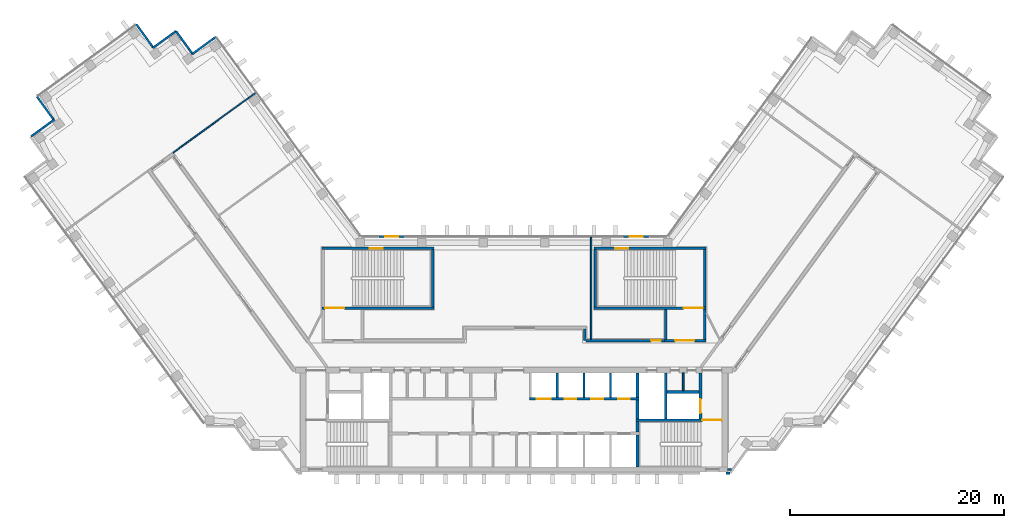
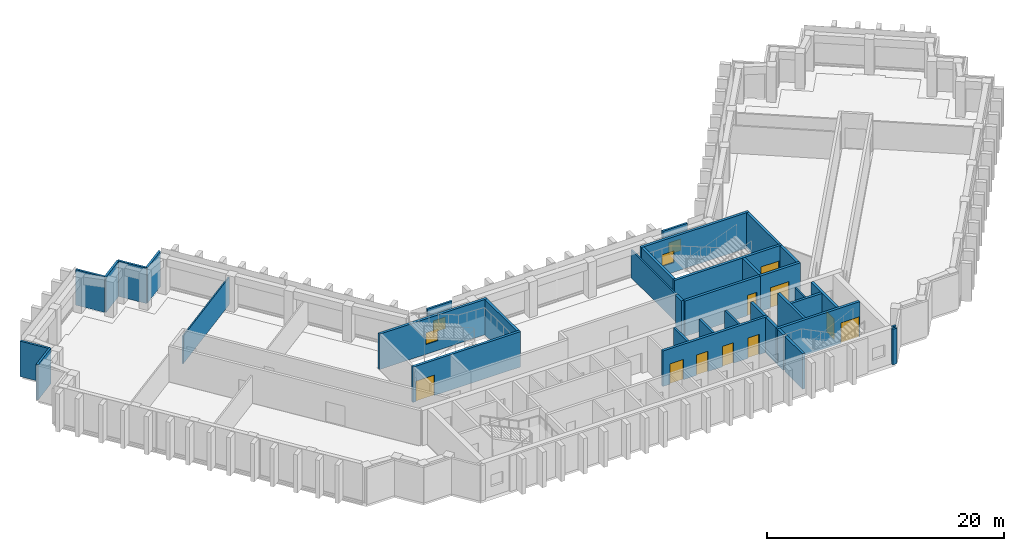
# One storey, part 6 of 10: 37 walls, 10 doors, 4 windows, 14 openings.
"""IFC4 building model written with IfcOpenShell, lengths in metres."""

from ifc_helpers import new_model, si_unit, direction, frame, frame_2d, origin, place, context, subcontext, project, spatial, rectangle, extrude, material, layer, layer_set, type_object, element, fill, save


model = new_model("IFC4")

# Units and contexts
model_context = context("Model", 3, precision=1e-05, world=origin(), true_north=direction((0.0, 1.0)))
body_context = subcontext(model_context, "Body", "Model", "MODEL_VIEW")
ifc_project = project(units=[si_unit("LENGTHUNIT", "METRE"), si_unit("AREAUNIT", "SQUARE_METRE"), si_unit("VOLUMEUNIT", "CUBIC_METRE"), si_unit("PLANEANGLEUNIT", "RADIAN"), si_unit("MASSUNIT", "GRAM", prefix="KILO")], contexts=[model_context])

# Site, building, storey
site_placement = place(None, origin())
site = spatial("IfcSite", under=ifc_project, at=site_placement, CompositionType="ELEMENT")
building_placement = place(site_placement, origin())
building = spatial("IfcBuilding", under=site, at=building_placement, Name="Quipu Civic Tower", CompositionType="ELEMENT")
storey_placement = place(building_placement, frame((0.0, 0.0, 180.0)))
storey = spatial("IfcBuildingStorey", under=building, at=storey_placement, Name="L42", CompositionType="ELEMENT", Elevation=180.0)

# Walls
ifc_material_1 = material(Name="Double gypsum plasterboard with mineral wool")
ifc_layer_1 = layer(ifc_material_1, 0.14990234375)
ifc_layer_set_1 = layer_set([ifc_layer_1], Name="Double gypsum plasterboard with mineral wool")
wall_type_1 = type_object("IfcWallType", Name="Acoustic partition 150 plasterboard", PredefinedType="PARTITIONING", material=ifc_layer_set_1)
wall_1_placement = place(storey_placement, frame((7.218017578125, 11.0, 0.0), z_axis=(0.0, 0.0, 1.0), x_axis=(0.0, -1.0, 0.0)))
element("IfcWall", 1, at=wall_1_placement, inside=storey, type_object=wall_type_1, Name="Partition P03", PredefinedType="PARTITIONING", context=body_context, shape_type="SweptSolid", body=[
    extrude(rectangle(XDim=9.550048828125, YDim=0.14990234375, at=frame_2d((4.77490234375, 0.0))), origin(), (0.0, 0.0, 1.0), 2.85009765625),
])
ifc_material_2 = material(Name="Concrete C70/85", Category="concrete")
ifc_layer_2 = layer(ifc_material_2, 0.25)
ifc_layer_set_2 = layer_set([ifc_layer_2], Name="Concrete C70/85")
wall_type_2 = type_object("IfcWallType", Name="Core wall 250", PredefinedType="SHEAR", material=ifc_layer_set_2)
wall_2_placement = place(storey_placement, frame((11.574951171875, -10.5, 0.0), z_axis=(0.0, 0.0, 1.0), x_axis=(0.0, 1.0, 0.0)))
element("IfcWall", 2, at=wall_2_placement, inside=storey, type_object=wall_type_2, Name="Core wall", PredefinedType="SHEAR", context=body_context, shape_type="SweptSolid", body=[
    extrude(rectangle(XDim=3.0, YDim=0.25, at=frame_2d((1.5, 0.0))), origin(), (0.0, 0.0, 1.0), 3.64990234375),
])
wall_3_placement = place(storey_placement, frame((11.574951171875, -7.25, 0.0), z_axis=(0.0, 0.0, 1.0), x_axis=(0.0, 1.0, 0.0)))
element("IfcWall", 3, at=wall_3_placement, inside=storey, type_object=wall_type_2, Name="Core wall", PredefinedType="SHEAR", context=body_context, shape_type="SweptSolid", body=[
    extrude(rectangle(XDim=1.0, YDim=0.25, at=frame_2d((0.5, 0.0))), origin(), (0.0, 0.0, 1.0), 3.64990234375),
])

# Wall, opening, door
wall_4_placement = place(storey_placement, frame((19.5, -6.125, 0.0), z_axis=(0.0, 0.0, 1.0), x_axis=(-1.0, 0.0, 0.0)))
wall_4 = element("IfcWall", 4, at=wall_4_placement, inside=storey, type_object=wall_type_2, Name="Core wall", PredefinedType="SHEAR", context=body_context, shape_type="SweptSolid", body=[
    extrude(rectangle(XDim=8.050048828125, YDim=0.25, at=frame_2d((4.02490234375, 0.0))), origin(), (0.0, 0.0, 1.0), 3.64990234375),
])
opening_1_placement = place(wall_4_placement, frame((0.050048828125, 0.0, 0.0)))
opening_1 = element("IfcOpeningElement", 5, at=opening_1_placement, cuts=wall_4, Name="Opening CD-07", PredefinedType="OPENING", context=body_context, shape_type="SweptSolid", body=[
    extrude(rectangle(XDim=1.800048828125, YDim=2.10009765625, at=frame_2d((0.89990234375, 1.050048828125))), frame((0.0, 0.135009765625, 0.0), z_axis=(0.0, -1.0, 0.0), x_axis=(1.0, 0.0, 0.0)), (0.0, 0.0, 1.0), 0.27001953125),
])
ifc_material_3 = material(Name="Fire rated steel door", Category="steel")
door_type_1 = type_object("IfcDoorType", Name="Fire door FD90 double 1800 x 2100", OperationType="NOTDEFINED", PredefinedType="DOOR", material=ifc_material_3)
door_1_placement = place(opening_1_placement, origin())
door_1 = element("IfcDoor", 6, at=door_1_placement, inside=storey, type_object=door_type_1, Name="Door", OperationType="DOUBLE_DOOR_SINGLE_SWING", OverallHeight=2.10009765625, OverallWidth=1.800048828125, PredefinedType="DOOR", context=body_context, shape_type="SweptSolid", body=[
    extrude(rectangle(XDim=1.800048828125, YDim=2.10009765625, at=frame_2d((0.89990234375, 1.050048828125))), frame((0.0, 0.02490234375, 0.0), z_axis=(0.0, -1.0, 0.0), x_axis=(1.0, 0.0, 0.0)), (0.0, 0.0, 1.0), 0.050048828125),
])
fill(opening_1, door_1)

# Walls
wall_5_placement = place(storey_placement, frame((11.574951171875, -6.0, 0.0), z_axis=(0.0, 0.0, 1.0), x_axis=(0.0, 1.0, 0.0)))
element("IfcWall", 7, at=wall_5_placement, inside=storey, type_object=wall_type_2, Name="Core wall", PredefinedType="SHEAR", context=body_context, shape_type="SweptSolid", body=[
    extrude(rectangle(XDim=1.75, YDim=0.25, at=frame_2d((0.875, 0.0))), origin(), (0.0, 0.0, 1.0), 3.64990234375),
])
wall_6_placement = place(storey_placement, frame((14.22509765625, -6.0, 0.0), z_axis=(0.0, 0.0, 1.0), x_axis=(0.0, 1.0, 0.0)))
element("IfcWall", 8, at=wall_6_placement, inside=storey, type_object=wall_type_2, Name="Core wall", PredefinedType="SHEAR", context=body_context, shape_type="SweptSolid", body=[
    extrude(rectangle(XDim=4.300048828125, YDim=0.25, at=frame_2d((2.14990234375, 0.0))), origin(), (0.0, 0.0, 1.0), 3.64990234375),
])

# Wall, opening, door
wall_7_placement = place(storey_placement, frame((17.47509765625, -6.0, 0.0), z_axis=(0.0, 0.0, 1.0), x_axis=(0.0, 1.0, 0.0)))
wall_7 = element("IfcWall", 9, at=wall_7_placement, inside=storey, type_object=wall_type_2, Name="Core wall", PredefinedType="SHEAR", context=body_context, shape_type="SweptSolid", body=[
    extrude(rectangle(XDim=4.300048828125, YDim=0.25, at=frame_2d((2.14990234375, 0.0))), origin(), (0.0, 0.0, 1.0), 3.64990234375),
])
opening_2_placement = place(wall_7_placement, frame((0.550048828125, 0.0, 0.0)))
opening_2 = element("IfcOpeningElement", 10, at=opening_2_placement, cuts=wall_7, Name="Opening LD-FF2", PredefinedType="OPENING", context=body_context, shape_type="SweptSolid", body=[
    extrude(rectangle(XDim=1.300048828125, YDim=2.10009765625, at=frame_2d((0.64990234375, 1.050048828125))), frame((0.0, 0.135009765625, 0.0), z_axis=(0.0, -1.0, 0.0), x_axis=(1.0, 0.0, 0.0)), (0.0, 0.0, 1.0), 0.27001953125),
])
ifc_material_4 = material(Name="Stainless steel", Category="steel")
door_type_2 = type_object("IfcDoorType", Name="Lift landing door 1300 x 2100", OperationType="DOUBLE_DOOR_SLIDING", PredefinedType="DOOR", material=ifc_material_4)
door_2_placement = place(opening_2_placement, origin())
door_2 = element("IfcDoor", 11, at=door_2_placement, inside=storey, type_object=door_type_2, Name="Landing door FF2", OperationType="DOUBLE_DOOR_SLIDING", OverallHeight=2.10009765625, OverallWidth=1.300048828125, PredefinedType="DOOR", context=body_context, shape_type="SweptSolid", body=[
    extrude(rectangle(XDim=1.300048828125, YDim=2.10009765625, at=frame_2d((0.64990234375, 1.050048828125))), frame((0.0, 0.02490234375, 0.0), z_axis=(0.0, -1.0, 0.0), x_axis=(1.0, 0.0, 0.0)), (0.0, 0.0, 1.0), 0.050048828125),
])
fill(opening_2, door_2)

# Wall, openings, doors
wall_8_placement = place(storey_placement, frame((1.449951171875, -4.125, 0.0), z_axis=(0.0, 0.0, 1.0), x_axis=(1.0, 0.0, 0.0)))
wall_8 = element("IfcWall", 12, at=wall_8_placement, inside=storey, type_object=wall_type_2, Name="Core wall", PredefinedType="SHEAR", context=body_context, shape_type="SweptSolid", body=[
    extrude(rectangle(XDim=10.25, YDim=0.25, at=frame_2d((5.125, 0.0))), origin(), (0.0, 0.0, 1.0), 3.64990234375),
])
opening_3_placement = place(wall_8_placement, frame((0.699951171875, 0.0, 0.0)))
opening_3 = element("IfcOpeningElement", 13, at=opening_3_placement, cuts=wall_8, Name="Opening LD-FF3", PredefinedType="OPENING", context=body_context, shape_type="SweptSolid", body=[
    extrude(rectangle(XDim=1.300048828125, YDim=2.10009765625, at=frame_2d((0.64990234375, 1.050048828125))), frame((0.0, 0.135009765625, 0.0), z_axis=(0.0, -1.0, 0.0), x_axis=(1.0, 0.0, 0.0)), (0.0, 0.0, 1.0), 0.27001953125),
])
opening_4_placement = place(wall_8_placement, frame((3.300048828125, 0.0, 0.0)))
opening_4 = element("IfcOpeningElement", 14, at=opening_4_placement, cuts=wall_8, Name="Opening LD-ML5", PredefinedType="OPENING", context=body_context, shape_type="SweptSolid", body=[
    extrude(rectangle(XDim=1.10009765625, YDim=2.10009765625, at=frame_2d((0.550048828125, 1.050048828125))), frame((0.0, 0.135009765625, 0.0), z_axis=(0.0, -1.0, 0.0), x_axis=(1.0, 0.0, 0.0)), (0.0, 0.0, 1.0), 0.27001953125),
])
opening_5_placement = place(wall_8_placement, frame((5.800048828125, 0.0, 0.0)))
opening_5 = element("IfcOpeningElement", 15, at=opening_5_placement, cuts=wall_8, Name="Opening LD-ML6", PredefinedType="OPENING", context=body_context, shape_type="SweptSolid", body=[
    extrude(rectangle(XDim=1.10009765625, YDim=2.10009765625, at=frame_2d((0.550048828125, 1.050048828125))), frame((0.0, 0.135009765625, 0.0), z_axis=(0.0, -1.0, 0.0), x_axis=(1.0, 0.0, 0.0)), (0.0, 0.0, 1.0), 0.27001953125),
])
opening_6_placement = place(wall_8_placement, frame((8.300048828125, 0.0, 0.0)))
opening_6 = element("IfcOpeningElement", 16, at=opening_6_placement, cuts=wall_8, Name="Opening LD-ML7", PredefinedType="OPENING", context=body_context, shape_type="SweptSolid", body=[
    extrude(rectangle(XDim=1.10009765625, YDim=2.10009765625, at=frame_2d((0.550048828125, 1.050048828125))), frame((0.0, 0.135009765625, 0.0), z_axis=(0.0, -1.0, 0.0), x_axis=(1.0, 0.0, 0.0)), (0.0, 0.0, 1.0), 0.27001953125),
])
ifc_material_5 = material(Name="Stainless steel", Category="steel")
door_type_3 = type_object("IfcDoorType", Name="Lift landing door 1100 x 2100", OperationType="DOUBLE_DOOR_SLIDING", PredefinedType="DOOR", material=ifc_material_5)
door_3_placement = place(opening_4_placement, origin())
door_3 = element("IfcDoor", 17, at=door_3_placement, inside=storey, type_object=door_type_3, Name="Landing door ML5", OperationType="DOUBLE_DOOR_SLIDING", OverallHeight=2.10009765625, OverallWidth=1.10009765625, PredefinedType="DOOR", context=body_context, shape_type="SweptSolid", body=[
    extrude(rectangle(XDim=1.10009765625, YDim=2.10009765625, at=frame_2d((0.550048828125, 1.050048828125))), frame((0.0, 0.02490234375, 0.0), z_axis=(0.0, -1.0, 0.0), x_axis=(1.0, 0.0, 0.0)), (0.0, 0.0, 1.0), 0.050048828125),
])
fill(opening_4, door_3)
door_4_placement = place(opening_5_placement, origin())
door_4 = element("IfcDoor", 18, at=door_4_placement, inside=storey, type_object=door_type_3, Name="Landing door ML6", OperationType="DOUBLE_DOOR_SLIDING", OverallHeight=2.10009765625, OverallWidth=1.10009765625, PredefinedType="DOOR", context=body_context, shape_type="SweptSolid", body=[
    extrude(rectangle(XDim=1.10009765625, YDim=2.10009765625, at=frame_2d((0.550048828125, 1.050048828125))), frame((0.0, 0.02490234375, 0.0), z_axis=(0.0, -1.0, 0.0), x_axis=(1.0, 0.0, 0.0)), (0.0, 0.0, 1.0), 0.050048828125),
])
fill(opening_5, door_4)
door_5_placement = place(opening_6_placement, origin())
door_5 = element("IfcDoor", 19, at=door_5_placement, inside=storey, type_object=door_type_3, Name="Landing door ML7", OperationType="DOUBLE_DOOR_SLIDING", OverallHeight=2.10009765625, OverallWidth=1.10009765625, PredefinedType="DOOR", context=body_context, shape_type="SweptSolid", body=[
    extrude(rectangle(XDim=1.10009765625, YDim=2.10009765625, at=frame_2d((0.550048828125, 1.050048828125))), frame((0.0, 0.02490234375, 0.0), z_axis=(0.0, -1.0, 0.0), x_axis=(1.0, 0.0, 0.0)), (0.0, 0.0, 1.0), 0.050048828125),
])
fill(opening_6, door_5)
door_6_placement = place(opening_3_placement, origin())
door_6 = element("IfcDoor", 20, at=door_6_placement, inside=storey, type_object=door_type_2, Name="Landing door FF3", OperationType="DOUBLE_DOOR_SLIDING", OverallHeight=2.10009765625, OverallWidth=1.300048828125, PredefinedType="DOOR", context=body_context, shape_type="SweptSolid", body=[
    extrude(rectangle(XDim=1.300048828125, YDim=2.10009765625, at=frame_2d((0.64990234375, 1.050048828125))), frame((0.0, 0.02490234375, 0.0), z_axis=(0.0, -1.0, 0.0), x_axis=(1.0, 0.0, 0.0)), (0.0, 0.0, 1.0), 0.050048828125),
])
fill(opening_3, door_6)

# Walls
wall_9_placement = place(storey_placement, frame((11.574951171875, -4.0, 0.0), z_axis=(0.0, 0.0, 1.0), x_axis=(0.0, 1.0, 0.0)))
element("IfcWall", 21, at=wall_9_placement, inside=storey, type_object=wall_type_2, Name="Core wall", PredefinedType="SHEAR", context=body_context, shape_type="SweptSolid", body=[
    extrude(rectangle(XDim=2.300048828125, YDim=0.25, at=frame_2d((1.14990234375, 0.0))), origin(), (0.0, 0.0, 1.0), 3.64990234375),
])
wall_10_placement = place(storey_placement, frame((14.35009765625, -3.47509765625, 0.0), z_axis=(0.0, 0.0, 1.0), x_axis=(1.0, 0.0, 0.0)))
element("IfcWall", 22, at=wall_10_placement, inside=storey, type_object=wall_type_2, Name="Core wall", PredefinedType="SHEAR", context=body_context, shape_type="SweptSolid", body=[
    extrude(rectangle(XDim=3.0, YDim=0.25, at=frame_2d((1.5, 0.0))), origin(), (0.0, 0.0, 1.0), 3.64990234375),
])

# Wall, opening, door
wall_11_placement = place(storey_placement, frame((-18.0, 4.375, 0.0), z_axis=(0.0, 0.0, 1.0), x_axis=(1.0, 0.0, 0.0)))
wall_11 = element("IfcWall", 23, at=wall_11_placement, inside=storey, type_object=wall_type_2, Name="Core wall", PredefinedType="SHEAR", context=body_context, shape_type="SweptSolid", body=[
    extrude(rectangle(XDim=10.5, YDim=0.25, at=frame_2d((5.25, 0.0))), origin(), (0.0, 0.0, 1.0), 3.64990234375),
])
opening_7_placement = place(wall_11_placement, frame((0.300048828125, 0.0, 0.0)))
opening_7 = element("IfcOpeningElement", 24, at=opening_7_placement, cuts=wall_11, Name="Opening CD-23", PredefinedType="OPENING", context=body_context, shape_type="SweptSolid", body=[
    extrude(rectangle(XDim=1.800048828125, YDim=2.10009765625, at=frame_2d((0.89990234375, 1.050048828125))), frame((0.0, 0.135009765625, 0.0), z_axis=(0.0, -1.0, 0.0), x_axis=(1.0, 0.0, 0.0)), (0.0, 0.0, 1.0), 0.27001953125),
])
door_7_placement = place(opening_7_placement, origin())
door_7 = element("IfcDoor", 25, at=door_7_placement, inside=storey, type_object=door_type_1, Name="Door", OperationType="DOUBLE_DOOR_SINGLE_SWING", OverallHeight=2.10009765625, OverallWidth=1.800048828125, PredefinedType="DOOR", context=body_context, shape_type="SweptSolid", body=[
    extrude(rectangle(XDim=1.800048828125, YDim=2.10009765625, at=frame_2d((0.89990234375, 1.050048828125))), frame((0.0, 0.02490234375, 0.0), z_axis=(0.0, -1.0, 0.0), x_axis=(1.0, 0.0, 0.0)), (0.0, 0.0, 1.0), 0.050048828125),
])
fill(opening_7, door_7)

# Wall
wall_12_placement = place(storey_placement, frame((-7.625, 4.5, 0.0), z_axis=(0.0, 0.0, 1.0), x_axis=(0.0, 1.0, 0.0)))
element("IfcWall", 26, at=wall_12_placement, inside=storey, type_object=wall_type_2, Name="Core wall", PredefinedType="SHEAR", context=body_context, shape_type="SweptSolid", body=[
    extrude(rectangle(XDim=5.35009765625, YDim=0.25, at=frame_2d((2.675048828125, 0.0))), origin(), (0.0, 0.0, 1.0), 3.64990234375),
])

# Wall, opening, window
wall_13_placement = place(storey_placement, frame((-18.0, 9.97509765625, 0.0), z_axis=(0.0, 0.0, 1.0), x_axis=(1.0, 0.0, 0.0)))
wall_13 = element("IfcWall", 27, at=wall_13_placement, inside=storey, type_object=wall_type_2, Name="Core wall", PredefinedType="SHEAR", context=body_context, shape_type="SweptSolid", body=[
    extrude(rectangle(XDim=10.5, YDim=0.25, at=frame_2d((5.25, 0.0))), origin(), (0.0, 0.0, 1.0), 3.64990234375),
])
opening_8_placement = place(wall_13_placement, frame((4.5, 0.0, 1.0)))
opening_8 = element("IfcOpeningElement", 28, at=opening_8_placement, cuts=wall_13, Name="Opening SV-3", PredefinedType="OPENING", context=body_context, shape_type="SweptSolid", body=[
    extrude(rectangle(XDim=1.199951171875, YDim=1.199951171875, at=frame_2d((0.60009765625, 0.60009765625))), frame((0.0, 0.135009765625, 0.0), z_axis=(0.0, -1.0, 0.0), x_axis=(1.0, 0.0, 0.0)), (0.0, 0.0, 1.0), 0.27001953125),
])
ifc_material_6 = material(Name="Aluminium louvre", Category="aluminium")
window_type_1 = type_object("IfcWindowType", Name="Stair ventilation louvre 1200 x 1200", PartitioningType="SINGLE_PANEL", PredefinedType="WINDOW", material=ifc_material_6)
window_1_placement = place(opening_8_placement, origin())
window_1 = element("IfcWindow", 29, at=window_1_placement, inside=storey, type_object=window_type_1, Name="Stair ventilation opening", OverallHeight=1.199951171875, OverallWidth=1.199951171875, PartitioningType="SINGLE_PANEL", PredefinedType="WINDOW", context=body_context, shape_type="SweptSolid", body=[
    extrude(rectangle(XDim=1.199951171875, YDim=1.199951171875, at=frame_2d((0.60009765625, 0.60009765625))), frame((0.0, 0.030029296875, 0.0), z_axis=(0.0, -1.0, 0.0), x_axis=(1.0, 0.0, 0.0)), (0.0, 0.0, 1.0), 0.06005859375),
])
fill(opening_8, window_1)

# Wall, opening, door
wall_14_placement = place(storey_placement, frame((14.10009765625, 1.324951171875, 0.0), z_axis=(0.0, 0.0, 1.0), x_axis=(1.0, 0.0, 0.0)))
wall_14 = element("IfcWall", 30, at=wall_14_placement, inside=storey, type_object=wall_type_2, Name="Core wall", PredefinedType="SHEAR", context=body_context, shape_type="SweptSolid", body=[
    extrude(rectangle(XDim=3.89990234375, YDim=0.25, at=frame_2d((1.949951171875, 0.0))), origin(), (0.0, 0.0, 1.0), 3.64990234375),
])
opening_9_placement = place(wall_14_placement, frame((1.0, 0.0, 0.0)))
opening_9 = element("IfcOpeningElement", 31, at=opening_9_placement, cuts=wall_14, Name="Opening CD-24", PredefinedType="OPENING", context=body_context, shape_type="SweptSolid", body=[
    extrude(rectangle(XDim=1.800048828125, YDim=2.10009765625, at=frame_2d((0.89990234375, 1.050048828125))), frame((0.0, 0.135009765625, 0.0), z_axis=(0.0, -1.0, 0.0), x_axis=(1.0, 0.0, 0.0)), (0.0, 0.0, 1.0), 0.27001953125),
])
door_8_placement = place(opening_9_placement, origin())
door_8 = element("IfcDoor", 32, at=door_8_placement, inside=storey, type_object=door_type_1, Name="Lobby door", OperationType="DOUBLE_DOOR_SINGLE_SWING", OverallHeight=2.10009765625, OverallWidth=1.800048828125, PredefinedType="DOOR", context=body_context, shape_type="SweptSolid", body=[
    extrude(rectangle(XDim=1.800048828125, YDim=2.10009765625, at=frame_2d((0.89990234375, 1.050048828125))), frame((0.0, 0.02490234375, 0.0), z_axis=(0.0, -1.0, 0.0), x_axis=(1.0, 0.0, 0.0)), (0.0, 0.0, 1.0), 0.050048828125),
])
fill(opening_9, door_8)

# Walls
for number, where, z_axis, x_axis, name in (
    (33, (14.22509765625, 1.449951171875, 0.0), (0.0, 0.0, 1.0), (0.0, 1.0, 0.0), "Core wall"),
    (34, (17.875, 1.449951171875, 0.0), (0.0, 0.0, 1.0), (0.0, 1.0, 0.0), "Core wall"),
):
    element("IfcWall", number, at=place(storey_placement, frame(where, z_axis=z_axis, x_axis=x_axis)), inside=storey, type_object=wall_type_2, Name=name, PredefinedType="SHEAR", context=body_context, shape_type="SweptSolid", body=[
        extrude(rectangle(XDim=2.800048828125, YDim=0.25, at=frame_2d((1.39990234375, 0.0))), origin(), (0.0, 0.0, 1.0), 3.64990234375),
    ])

# Wall, opening, door
wall_15_placement = place(storey_placement, frame((7.5, 4.375, 0.0), z_axis=(0.0, 0.0, 1.0), x_axis=(1.0, 0.0, 0.0)))
wall_15 = element("IfcWall", 35, at=wall_15_placement, inside=storey, type_object=wall_type_2, Name="Core wall", PredefinedType="SHEAR", context=body_context, shape_type="SweptSolid", body=[
    extrude(rectangle(XDim=10.5, YDim=0.25, at=frame_2d((5.25, 0.0))), origin(), (0.0, 0.0, 1.0), 3.64990234375),
])
opening_10_placement = place(wall_15_placement, frame((8.39990234375, 0.0, 0.0)))
opening_10 = element("IfcOpeningElement", 36, at=opening_10_placement, cuts=wall_15, Name="Opening CD-25", PredefinedType="OPENING", context=body_context, shape_type="SweptSolid", body=[
    extrude(rectangle(XDim=1.800048828125, YDim=2.10009765625, at=frame_2d((0.89990234375, 1.050048828125))), frame((0.0, 0.135009765625, 0.0), z_axis=(0.0, -1.0, 0.0), x_axis=(1.0, 0.0, 0.0)), (0.0, 0.0, 1.0), 0.27001953125),
])
door_9_placement = place(opening_10_placement, origin())
door_9 = element("IfcDoor", 37, at=door_9_placement, inside=storey, type_object=door_type_1, Name="Door", OperationType="DOUBLE_DOOR_SINGLE_SWING", OverallHeight=2.10009765625, OverallWidth=1.800048828125, PredefinedType="DOOR", context=body_context, shape_type="SweptSolid", body=[
    extrude(rectangle(XDim=1.800048828125, YDim=2.10009765625, at=frame_2d((0.89990234375, 1.050048828125))), frame((0.0, 0.02490234375, 0.0), z_axis=(0.0, -1.0, 0.0), x_axis=(1.0, 0.0, 0.0)), (0.0, 0.0, 1.0), 0.050048828125),
])
fill(opening_10, door_9)

# Walls
for number, where, z_axis, x_axis, name in (
    (38, (7.625, 4.5, 0.0), (0.0, 0.0, 1.0), (0.0, 1.0, 0.0), "Core wall"),
    (39, (17.875, 4.5, 0.0), (0.0, 0.0, 1.0), (0.0, 1.0, 0.0), "Core wall"),
):
    element("IfcWall", number, at=place(storey_placement, frame(where, z_axis=z_axis, x_axis=x_axis)), inside=storey, type_object=wall_type_2, Name=name, PredefinedType="SHEAR", context=body_context, shape_type="SweptSolid", body=[
        extrude(rectangle(XDim=5.35009765625, YDim=0.25, at=frame_2d((2.675048828125, 0.0))), origin(), (0.0, 0.0, 1.0), 3.64990234375),
    ])

# Wall, opening, window
wall_16_placement = place(storey_placement, frame((7.5, 9.97509765625, 0.0), z_axis=(0.0, 0.0, 1.0), x_axis=(1.0, 0.0, 0.0)))
wall_16 = element("IfcWall", 40, at=wall_16_placement, inside=storey, type_object=wall_type_2, Name="Core wall", PredefinedType="SHEAR", context=body_context, shape_type="SweptSolid", body=[
    extrude(rectangle(XDim=10.5, YDim=0.25, at=frame_2d((5.25, 0.0))), origin(), (0.0, 0.0, 1.0), 3.64990234375),
])
opening_11_placement = place(wall_16_placement, frame((2.0, 0.0, 1.0)))
opening_11 = element("IfcOpeningElement", 41, at=opening_11_placement, cuts=wall_16, Name="Opening SV-4", PredefinedType="OPENING", context=body_context, shape_type="SweptSolid", body=[
    extrude(rectangle(XDim=1.199951171875, YDim=1.199951171875, at=frame_2d((0.60009765625, 0.60009765625))), frame((0.0, 0.135009765625, 0.0), z_axis=(0.0, -1.0, 0.0), x_axis=(1.0, 0.0, 0.0)), (0.0, 0.0, 1.0), 0.27001953125),
])
window_2_placement = place(opening_11_placement, origin())
window_2 = element("IfcWindow", 42, at=window_2_placement, inside=storey, type_object=window_type_1, Name="Stair ventilation opening", OverallHeight=1.199951171875, OverallWidth=1.199951171875, PartitioningType="SINGLE_PANEL", PredefinedType="WINDOW", context=body_context, shape_type="SweptSolid", body=[
    extrude(rectangle(XDim=1.199951171875, YDim=1.199951171875, at=frame_2d((0.60009765625, 0.60009765625))), frame((0.0, 0.030029296875, 0.0), z_axis=(0.0, -1.0, 0.0), x_axis=(1.0, 0.0, 0.0)), (0.0, 0.0, 1.0), 0.06005859375),
])
fill(opening_11, window_2)

# Wall
ifc_material_7 = material(Name="Concrete C50/60", Category="concrete")
ifc_layer_3 = layer(ifc_material_7, 0.25)
ifc_layer_set_3 = layer_set([ifc_layer_3], Name="Concrete C50/60")
wall_type_3 = type_object("IfcWallType", Name="Corridor wall 250 concrete", PredefinedType="SOLIDWALL", material=ifc_layer_set_3)
wall_17_placement = place(storey_placement, frame((6.625, 2.39990234375, 0.0), z_axis=(0.0, 0.0, 1.0), x_axis=(0.0, -1.0, 0.0)))
element("IfcWall", 43, at=wall_17_placement, inside=storey, type_object=wall_type_3, Name="Corridor wall C10", PredefinedType="SOLIDWALL", context=body_context, shape_type="SweptSolid", body=[
    extrude(rectangle(XDim=1.041259765625, YDim=0.25, at=frame_2d((0.5205078125, 0.0))), origin(), (0.0, 0.0, 1.0), 3.64990234375),
])

# Wall, opening, door
wall_18_placement = place(storey_placement, frame((6.753662109375, 1.324951171875, 0.0), z_axis=(0.0, 0.0, 1.0), x_axis=(1.0, 0.0, 0.0)))
wall_18 = element("IfcWall", 44, at=wall_18_placement, inside=storey, type_object=wall_type_3, Name="Corridor wall C11", PredefinedType="SOLIDWALL", context=body_context, shape_type="SweptSolid", body=[
    extrude(rectangle(XDim=7.33642578125, YDim=0.25, at=frame_2d((3.668212890625, 0.0))), origin(), (0.0, 0.0, 1.0), 3.64990234375),
])
opening_12_placement = place(wall_18_placement, frame((6.09619140625, 0.0, 0.0)))
opening_12 = element("IfcOpeningElement", 45, at=opening_12_placement, cuts=wall_18, Name="Opening D007", PredefinedType="OPENING", context=body_context, shape_type="SweptSolid", body=[
    extrude(rectangle(XDim=0.89990234375, YDim=2.10009765625, at=frame_2d((0.449951171875, 1.050048828125))), frame((0.0, 0.135009765625, 0.0), z_axis=(0.0, -1.0, 0.0), x_axis=(1.0, 0.0, 0.0)), (0.0, 0.0, 1.0), 0.27001953125),
])
ifc_material_8 = material(Name="Fire rated timber door set with metal frame", Category="wood")
door_type_4 = type_object("IfcDoorType", Name="Single door 900 x 2100 FD60", OperationType="NOTDEFINED", PredefinedType="DOOR", material=ifc_material_8)
door_10_placement = place(opening_12_placement, origin())
door_10 = element("IfcDoor", 46, at=door_10_placement, inside=storey, type_object=door_type_4, Name="Door D007", OperationType="SINGLE_SWING_RIGHT", OverallHeight=2.10009765625, OverallWidth=0.89990234375, PredefinedType="DOOR", context=body_context, shape_type="SweptSolid", body=[
    extrude(rectangle(XDim=0.89990234375, YDim=2.10009765625, at=frame_2d((0.449951171875, 1.050048828125))), frame((0.0, 0.02490234375, 0.0), z_axis=(0.0, -1.0, 0.0), x_axis=(1.0, 0.0, 0.0)), (0.0, 0.0, 1.0), 0.050048828125),
])
fill(opening_12, door_10)

# Walls
ifc_material_9 = material(Name="Gypsum plasterboard on light gauge framing")
ifc_layer_4 = layer(ifc_material_9, 0.1201171875)
ifc_layer_set_4 = layer_set([ifc_layer_4], Name="Gypsum plasterboard on light gauge framing")
wall_type_4 = type_object("IfcWallType", Name="Partition 120 plasterboard", PredefinedType="PARTITIONING", material=ifc_layer_set_4)
wall_19_placement = place(storey_placement, frame((-24.226318359375, 24.531494140625, 0.0), z_axis=(0.0, 0.0, 1.0), x_axis=(-0.80898585166, -0.587828114175, 0.0)))
element("IfcWall", 47, at=wall_19_placement, inside=storey, type_object=wall_type_4, Name="Partition P04", PredefinedType="PARTITIONING", context=body_context, shape_type="SweptSolid", body=[
    extrude(rectangle(XDim=9.550048828125, YDim=0.1201171875, at=frame_2d((4.77490234375, 0.0))), origin(), (0.0, 0.0, 1.0), 2.85009765625),
])
ifc_material_10 = material(Name="Gypsum board partition")
ifc_layer_5 = layer(ifc_material_10, 0.14990234375)
ifc_layer_set_5 = layer_set([ifc_layer_5], Name="Gypsum board partition")
wall_type_5 = type_object("IfcWallType", Name="Partition 150", PredefinedType="PARTITIONING", material=ifc_layer_set_5)
wall_20_placement = place(storey_placement, frame((15.85009765625, -3.35009765625, 0.0), z_axis=(0.0, 0.0, 1.0), x_axis=(0.0, 1.0, 0.0)))
element("IfcWall", 48, at=wall_20_placement, inside=storey, type_object=wall_type_5, Name="Partition", PredefinedType="PARTITIONING", context=body_context, shape_type="SweptSolid", body=[
    extrude(rectangle(XDim=1.650146484375, YDim=0.14990234375, at=frame_2d((0.8251953125, 0.0))), origin(), (0.0, 0.0, 1.0), 3.64990234375),
])
ifc_material_11 = material(Name="Precast concrete C40/50", Category="concrete")
wall_type_6 = type_object("IfcWallType", Name="Precast cladding wall", PredefinedType="SOLIDWALL", material=ifc_material_11)
for number, where, z_axis, x_axis, name in (
    (49, (-43.060791015625, 22.04296875, 0.0), (0.0, 0.0, 1.0), (-0.809033161865, -0.587762999008, 0.0), "Precast cladding wall L42 P01"),
    (50, (-27.92138671875, 29.787109375, 0.0), (0.0, 0.0, 1.0), (-0.809033161865, -0.587762999008, 0.0), "Precast cladding wall L42 2"),
    (51, (-30.08349609375, 28.149169921875, 0.0), (0.0, 0.0, 1.0), (-0.587762999008, 0.809033161865, 0.0), "Precast cladding wall L42 3"),
    (52, (-31.653564453125, 30.330810546875, 0.0), (0.0, 0.0, 1.0), (-0.809033161865, -0.587762999008, 0.0), "Precast cladding wall L42 4"),
    (53, (-33.80078125, 28.785888671875, 0.0), (0.0, 0.0, 1.0), (-0.587762999008, 0.809033161865, 0.0), "Precast cladding wall L42 5"),
    (54, (-44.699462890625, 24.20458984375, 0.0), (0.0, 0.0, 1.0), (0.587762999008, -0.809033161865, 0.0), "Precast cladding wall L42 7"),
):
    element("IfcWall", number, at=place(storey_placement, frame(where, z_axis=z_axis, x_axis=x_axis)), inside=storey, type_object=wall_type_6, Name=name, PredefinedType="SOLIDWALL", context=body_context, shape_type="SweptSolid", body=[
        extrude(rectangle(XDim=2.699951171875, YDim=0.199951171875, at=frame_2d((1.35009765625, 0.0))), origin(), (0.0, 0.0, 1.0), 3.64990234375),
    ])
wall_21_placement = place(storey_placement, frame((19.85009765625, -11.087890625, 0.0), z_axis=(0.0, 0.0, 1.0), x_axis=(1.0, 0.0, 0.0)))
element("IfcWall", 55, at=wall_21_placement, inside=storey, type_object=wall_type_6, Name="Precast cladding wall L42 15", PredefinedType="SOLIDWALL", context=body_context, shape_type="SweptSolid", body=[
    extrude(rectangle(XDim=0.40576171875, YDim=0.199951171875, at=frame_2d((0.202880859375, 0.0))), origin(), (0.0, 0.0, 1.0), 3.64990234375),
])

# Wall, opening, window
wall_22_placement = place(storey_placement, frame((12.655029296875, 11.10009765625, 0.0), z_axis=(0.0, 0.0, 1.0), x_axis=(-1.0, 0.0, 0.0)))
wall_22 = element("IfcWall", 56, at=wall_22_placement, inside=storey, type_object=wall_type_6, Name="Vent surround SF-L42-2", PredefinedType="SOLIDWALL", context=body_context, shape_type="SweptSolid", body=[
    extrude(rectangle(XDim=2.3916015625, YDim=0.199951171875, at=frame_2d((1.19580078125, 0.0))), origin(), (0.0, 0.0, 1.0), 3.64990234375),
])
opening_13_placement = place(wall_22_placement, frame((0.595703125, 0.0, 1.0)))
opening_13 = element("IfcOpeningElement", 57, at=opening_13_placement, cuts=wall_22, Name="Opening SF-L42-2", PredefinedType="OPENING", context=body_context, shape_type="SweptSolid", body=[
    extrude(rectangle(XDim=1.199951171875, YDim=1.199951171875, at=frame_2d((0.60009765625, 0.60009765625))), frame((0.0, 0.10986328125, 0.0), z_axis=(0.0, -1.0, 0.0), x_axis=(1.0, 0.0, 0.0)), (0.0, 0.0, 1.0), 0.219970703125),
])
ifc_material_12 = material(Name="Anodised aluminium louvre", Category="aluminium")
window_type_2 = type_object("IfcWindowType", Name="Stair vent louvre window P3", PartitioningType="SINGLE_PANEL", PredefinedType="WINDOW", material=ifc_material_12)
window_3_placement = place(opening_13_placement, origin())
window_3 = element("IfcWindow", 58, at=window_3_placement, inside=storey, type_object=window_type_2, Name="Stair vent louvre SF-L42-2", OverallHeight=1.199951171875, OverallWidth=1.199951171875, PartitioningType="SINGLE_PANEL", PredefinedType="WINDOW", context=body_context, shape_type="SweptSolid", body=[
    extrude(rectangle(XDim=1.199951171875, YDim=1.199951171875, at=frame_2d((0.60009765625, 0.60009765625))), frame((0.0, 0.030029296875, 0.0), z_axis=(0.0, -1.0, 0.0), x_axis=(1.0, 0.0, 0.0)), (0.0, 0.0, 1.0), 0.06005859375),
])
fill(opening_13, window_3)

wall_23_placement = place(storey_placement, frame((-10.263427734375, 11.10009765625, 0.0), z_axis=(0.0, 0.0, 1.0), x_axis=(-1.0, 0.0, 0.0)))
wall_23 = element("IfcWall", 59, at=wall_23_placement, inside=storey, type_object=wall_type_6, Name="Vent surround SF-L42-1", PredefinedType="SOLIDWALL", context=body_context, shape_type="SweptSolid", body=[
    extrude(rectangle(XDim=2.3916015625, YDim=0.199951171875, at=frame_2d((1.19580078125, 0.0))), origin(), (0.0, 0.0, 1.0), 3.64990234375),
])
opening_14_placement = place(wall_23_placement, frame((0.595703125, 0.0, 1.0)))
opening_14 = element("IfcOpeningElement", 60, at=opening_14_placement, cuts=wall_23, Name="Opening SF-L42-1", PredefinedType="OPENING", context=body_context, shape_type="SweptSolid", body=[
    extrude(rectangle(XDim=1.199951171875, YDim=1.199951171875, at=frame_2d((0.60009765625, 0.60009765625))), frame((0.0, 0.10986328125, 0.0), z_axis=(0.0, -1.0, 0.0), x_axis=(1.0, 0.0, 0.0)), (0.0, 0.0, 1.0), 0.219970703125),
])
window_4_placement = place(opening_14_placement, origin())
window_4 = element("IfcWindow", 61, at=window_4_placement, inside=storey, type_object=window_type_2, Name="Stair vent louvre SF-L42-1", OverallHeight=1.199951171875, OverallWidth=1.199951171875, PartitioningType="SINGLE_PANEL", PredefinedType="WINDOW", context=body_context, shape_type="SweptSolid", body=[
    extrude(rectangle(XDim=1.199951171875, YDim=1.199951171875, at=frame_2d((0.60009765625, 0.60009765625))), frame((0.0, 0.030029296875, 0.0), z_axis=(0.0, -1.0, 0.0), x_axis=(1.0, 0.0, 0.0)), (0.0, 0.0, 1.0), 0.06005859375),
])
fill(opening_14, window_4)

# Walls
wall_24_placement = place(storey_placement, frame((19.97998046875, -10.75, 0.0), z_axis=(0.0, 0.0, 1.0), x_axis=(1.0, 0.0, 0.0)))
element("IfcWall", 62, at=wall_24_placement, inside=storey, type_object=wall_type_6, Name="Precast cladding return L42 E", PredefinedType="SOLIDWALL", context=body_context, shape_type="SweptSolid", body=[
    extrude(rectangle(XDim=0.41650390625, YDim=0.199951171875, at=frame_2d((0.208251953125, 0.0))), origin(), (0.0, 0.0, 1.0), 3.64990234375),
])
ifc_material_13 = material(Name="Concrete C40/50", Category="concrete")
ifc_layer_6 = layer(ifc_material_13, 0.199951171875)
ifc_layer_set_6 = layer_set([ifc_layer_6], Name="Concrete C40/50")
wall_type_7 = type_object("IfcWallType", Name="Shaft wall 200", PredefinedType="SOLIDWALL", material=ifc_layer_set_6)
for number, where, z_axis, x_axis, name in (
    (63, (4.050048828125, -4.0, 0.0), (0.0, 0.0, 1.0), (0.0, 1.0, 0.0), "Shaft wall"),
    (64, (6.550048828125, -4.0, 0.0), (0.0, 0.0, 1.0), (0.0, 1.0, 0.0), "Shaft wall"),
    (65, (9.050048828125, -4.0, 0.0), (0.0, 0.0, 1.0), (0.0, 1.0, 0.0), "Shaft wall"),
):
    element("IfcWall", number, at=place(storey_placement, frame(where, z_axis=z_axis, x_axis=x_axis)), inside=storey, type_object=wall_type_7, Name=name, PredefinedType="SOLIDWALL", context=body_context, shape_type="SweptSolid", body=[
        extrude(rectangle(XDim=2.300048828125, YDim=0.199951171875, at=frame_2d((1.14990234375, 0.0))), origin(), (0.0, 0.0, 1.0), 3.64990234375),
    ])

save(model, "model.ifc")
